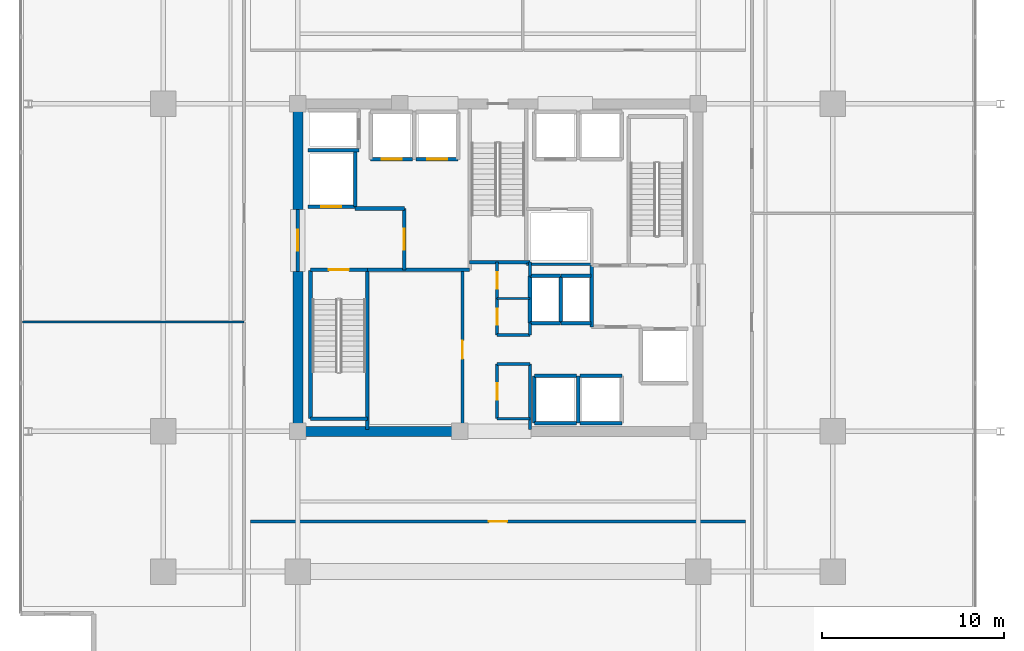
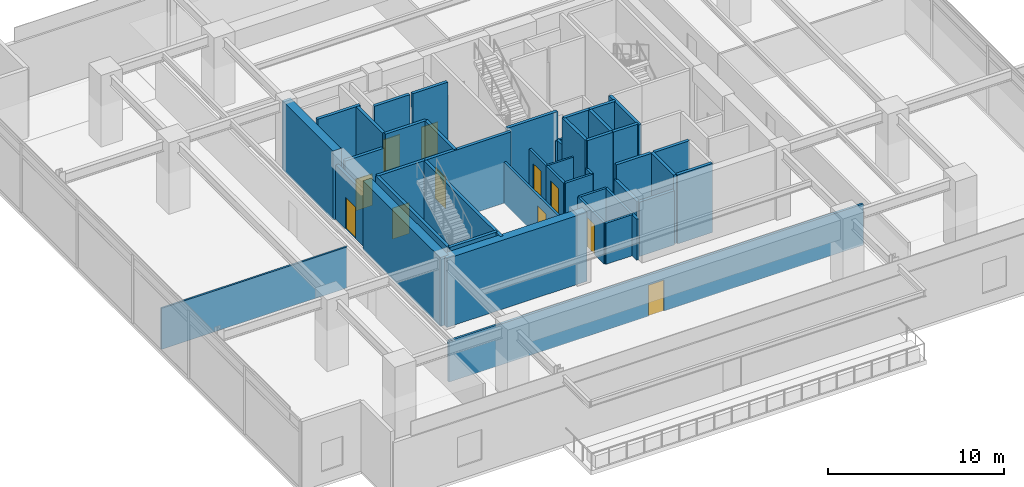
# One storey, part 14 of 21: 44 walls, 11 doors, 11 openings.
"""IFC4 building model written with IfcOpenShell, lengths in metres."""

import ifcopenshell
import ifcopenshell.guid

model = None  # the IFC model being written
_history = None  # IfcOwnerHistory: only IFC2X3 demands one
_inside = {}  # id of a spatial element -> (the spatial element, [elements in it])
_under = {}  # id of a project, library or spatial element -> (it, [spatial elements below it])
_declared = {}  # id of a project -> (the project, [libraries it declares])
_typed = {}  # id of a type object -> (the type object, [elements of that type])
_made_of = {}  # id of a material, layer set ... -> (it, [elements and type objects made of it])


def new_model(schema):
    """Start an empty IFC model of exactly this schema.

    Asked for "IFC4X3", IfcOpenShell would pick the latest addendum, in which some entities
    have other attributes; the version numbers below select the first issue.
    IFC2X3 requires an IfcOwnerHistory on every rooted entity: one is made here for all.
    """
    global model, _history
    if schema == "IFC4X3":
        model = ifcopenshell.file(schema_version=(4, 3, 0, 0))
    else:
        model = ifcopenshell.file(schema=schema)
    _inside.clear()
    _under.clear()
    _declared.clear()
    _typed.clear()
    _made_of.clear()
    _history = None
    if model.schema == "IFC2X3":
        org = make("IfcOrganization", Name="unknown")
        user = make(
            "IfcPersonAndOrganization",
            ThePerson=make("IfcPerson", FamilyName="unknown"),
            TheOrganization=org,
        )
        app = make(
            "IfcApplication",
            ApplicationDeveloper=org,
            Version="unknown",
            ApplicationFullName="unknown",
            ApplicationIdentifier="unknown",
        )
        _history = make(
            "IfcOwnerHistory",
            OwningUser=user,
            OwningApplication=app,
            ChangeAction="ADDED",
            CreationDate=0,
        )
    return model


def make(cls, **values):
    """One entity of the class cls with the attributes given. An attribute that is None is left unset."""
    return model.create_entity(
        cls, **{name: value for name, value in values.items() if value is not None}
    )


def rooted(cls, **values):
    """An entity with a GlobalId (a new one), such as an element, a storey or a relation."""
    return make(cls, GlobalId=ifcopenshell.guid.new(), OwnerHistory=_history, **values)


def si_unit(unit_type, name, prefix=None):
    """IfcSIUnit, for example si_unit("LENGTHUNIT", "METRE", prefix="MILLI")."""
    return make("IfcSIUnit", UnitType=unit_type, Prefix=prefix, Name=name)


def assignment(units):
    """IfcUnitAssignment: the units of a project."""
    return None if units is None else make("IfcUnitAssignment", Units=units)


def point(xyz):
    """IfcCartesianPoint."""
    return None if xyz is None else make("IfcCartesianPoint", Coordinates=xyz)


def direction(xyz):
    """IfcDirection."""
    return None if xyz is None else make("IfcDirection", DirectionRatios=xyz)


def frame(location, z_axis=None, x_axis=None):
    """IfcAxis2Placement3D, a coordinate frame: its origin and axes. An axis left out is left unset."""
    return make(
        "IfcAxis2Placement3D",
        Location=point(location),
        Axis=direction(z_axis),
        RefDirection=direction(x_axis),
    )


def frame_2d(location, x_axis=None):
    """IfcAxis2Placement2D, a coordinate frame in the plane: its origin and x axis."""
    return make(
        "IfcAxis2Placement2D", Location=point(location), RefDirection=direction(x_axis)
    )


def origin():
    """The frame at (0, 0, 0) with its axes left unset."""
    return frame((0.0, 0.0, 0.0))


def place(relative_to, where):
    """IfcLocalPlacement: puts the frame where relative to a parent placement (None: the world)."""
    return make(
        "IfcLocalPlacement", PlacementRelTo=relative_to, RelativePlacement=where
    )


def context(
    kind, dimensions, precision=None, world=None, true_north=None, identifier=None
):
    """IfcGeometricRepresentationContext, for example the 3D "Model" context."""
    return make(
        "IfcGeometricRepresentationContext",
        ContextIdentifier=identifier,
        ContextType=kind,
        CoordinateSpaceDimension=dimensions,
        Precision=precision,
        WorldCoordinateSystem=world,
        TrueNorth=true_north,
    )


def subcontext(parent, identifier, kind, view, scale=None):
    """IfcGeometricRepresentationSubContext, for example "Body" below "Model"."""
    return make(
        "IfcGeometricRepresentationSubContext",
        ContextIdentifier=identifier,
        ContextType=kind,
        ParentContext=parent,
        TargetScale=scale,
        TargetView=view,
    )


def project(units=None, contexts=None):
    """IfcProject with its units and contexts."""
    return rooted(
        "IfcProject",
        Name="project",
        RepresentationContexts=contexts,
        UnitsInContext=assignment(units),
    )


def spatial(cls, under=None, at=None, **own):
    """A site, building, storey or space (cls), placed at a placement, below another one or the project."""
    s = rooted(cls, ObjectPlacement=at, **own)
    if under is not None:
        _under.setdefault(under.id(), (under, []))[1].append(s)
    return s


def profile(cls, at=None, kind="AREA", **sizes):
    """A parametric profile (cls). Its sizes go by their IFC names, for example OverallWidth=200.0."""
    return make(cls, ProfileType=kind, Position=at, **sizes)


def rectangle(**sizes):
    """IfcRectangleProfileDef."""
    return profile("IfcRectangleProfileDef", **sizes)


def extrude(swept, where, along, depth):
    """IfcExtrudedAreaSolid: the profile swept, set in the frame where, extruded along a direction by depth."""
    return make(
        "IfcExtrudedAreaSolid",
        SweptArea=swept,
        Position=where,
        ExtrudedDirection=direction(along),
        Depth=depth,
    )


def shape(context_of_items, identifier, shape_type, items):
    """IfcShapeRepresentation: the items that make up one representation, for example the "Body"."""
    return make(
        "IfcShapeRepresentation",
        ContextOfItems=context_of_items,
        RepresentationIdentifier=identifier,
        RepresentationType=shape_type,
        Items=items,
    )


def material(Name=None, Category=None):
    """IfcMaterial."""
    return make("IfcMaterial", Name=Name, Category=Category)


def layer(
    of_material, thickness, ventilated=None, Name=None, Category=None, Priority=None
):
    """IfcMaterialLayer: one layer of a wall or slab, of a material (None: an air gap)."""
    return make(
        "IfcMaterialLayer",
        Material=of_material,
        LayerThickness=thickness,
        IsVentilated=ventilated,
        Name=Name,
        Category=Category,
        Priority=Priority,
    )


def layer_set(layers, Name=None):
    """IfcMaterialLayerSet."""
    return make("IfcMaterialLayerSet", MaterialLayers=layers, LayerSetName=Name)


def made_of(thing, what):
    """Note that an element or type object is made of a material, layer set ...; save() writes the relation."""
    if what is not None:
        _made_of.setdefault(what.id(), (what, []))[1].append(thing)
    return thing


def type_object(cls, material=None, **own):
    """A type object (cls), such as IfcWallType, which elements share."""
    return made_of(rooted(cls, **own), material)


def element(
    cls,
    number,
    at=None,
    inside=None,
    cuts=None,
    type_object=None,
    material=None,
    context=None,
    identifier="Body",
    shape_type=None,
    held_by="IfcProductDefinitionShape",
    body=None,
    shapes=None,
    **own,
):
    """One element of the class cls, such as IfcWall. Its Tag is "e" and its number.

    at: its placement. inside: the storey or other place that contains it. cuts: it is an
    opening in that element (IfcRelVoidsElement). A single representation is given by context,
    identifier, shape_type and body (its items); several are given by shapes. held_by: the class
    of the entity that holds the representations. save() writes the other relations.
    """
    e = rooted(cls, Tag="e%d" % number, ObjectPlacement=at, **own)
    if body is not None:
        shapes = [shape(context, identifier, shape_type, body)]
    if shapes is not None:
        e.Representation = make(held_by, Representations=shapes)
    if inside is not None:
        _inside.setdefault(inside.id(), (inside, []))[1].append(e)
    if cuts is not None:
        rooted(
            "IfcRelVoidsElement", RelatingBuildingElement=cuts, RelatedOpeningElement=e
        )
    if type_object is not None:
        _typed.setdefault(type_object.id(), (type_object, []))[1].append(e)
    return made_of(e, material)


def fill(opening, filler):
    """IfcRelFillsElement: the door or window that sits in an opening."""
    return rooted(
        "IfcRelFillsElement",
        RelatingOpeningElement=opening,
        RelatedBuildingElement=filler,
    )


def aggregate(whole, parts):
    """IfcRelAggregates: a whole, such as a stair, and the parts it consists of."""
    return rooted("IfcRelAggregates", RelatingObject=whole, RelatedObjects=parts)


def save(model, path):
    """Write the relations noted so far, then the file.

    IfcRelAggregates (storeys below a building ...), IfcRelContainedInSpatialStructure (elements
    in a storey), IfcRelDefinesByType, IfcRelAssociatesMaterial and IfcRelDeclares: one each for
    every whole, place, type object, material and project.
    """
    for whole, parts in _under.values():
        aggregate(whole, parts)
    for where, things in _inside.values():
        rooted(
            "IfcRelContainedInSpatialStructure",
            RelatedElements=things,
            RelatingStructure=where,
        )
    for kind, things in _typed.values():
        rooted("IfcRelDefinesByType", RelatedObjects=things, RelatingType=kind)
    for what, things in _made_of.values():
        rooted("IfcRelAssociatesMaterial", RelatedObjects=things, RelatingMaterial=what)
    for by, libraries in _declared.values():
        rooted("IfcRelDeclares", RelatingContext=by, RelatedDefinitions=libraries)
    model.write(path)


model = new_model("IFC4")

# Units and contexts
model_context = context("Model", 3, precision=1e-05, world=origin(), true_north=direction((0.0, 1.0)))
body_context = subcontext(model_context, "Body", "Model", "MODEL_VIEW")
ifc_project = project(units=[si_unit("LENGTHUNIT", "METRE"), si_unit("AREAUNIT", "SQUARE_METRE"), si_unit("VOLUMEUNIT", "CUBIC_METRE"), si_unit("PLANEANGLEUNIT", "RADIAN"), si_unit("MASSUNIT", "GRAM", prefix="KILO")], contexts=[model_context])

# Site, building, storey
site_placement = place(None, origin())
site = spatial("IfcSite", under=ifc_project, at=site_placement, CompositionType="ELEMENT")
building_placement = place(site_placement, origin())
building = spatial("IfcBuilding", under=site, at=building_placement, Name="Kovane Verandah Tower", CompositionType="ELEMENT")
storey_placement = place(building_placement, frame((0.0, 0.0, 238.199951171875)))
storey = spatial("IfcBuildingStorey", under=building, at=storey_placement, Name="L55", CompositionType="ELEMENT", Elevation=238.199951171875)

# Walls
ifc_material_1 = material(Name="Fire-Rated Gypsum Stud Partition", Category="gypsum")
ifc_layer_1 = layer(ifc_material_1, 0.14990234375)
ifc_layer_set_1 = layer_set([ifc_layer_1], Name="Fire-Rated Gypsum Stud Partition")
wall_type_1 = type_object("IfcWallType", Name="WL-COR-150", PredefinedType="PARTITIONING", material=ifc_layer_set_1)
for number, where, z_axis, x_axis, name in (
    (1, (39.949951171875, 19.199951171875, 0.0), (0.0, 0.0, 1.0), (1.0, 0.0, 0.0), "L55 Central Core Strip South Wall"),
    (2, (39.949951171875, 22.199951171875, 0.0), (0.0, 0.0, 1.0), (1.0, 0.0, 0.0), "L55 Core Cross-Passage South Wall"),
    (3, (39.949951171875, 23.800048828125, 0.0), (0.0, 0.0, 1.0), (1.0, 0.0, 0.0), "L55 Core Cross-Passage North Wall"),
):
    element("IfcWall", number, at=place(storey_placement, frame(where, z_axis=z_axis, x_axis=x_axis)), inside=storey, type_object=wall_type_1, Name=name, PredefinedType="PARTITIONING", context=body_context, shape_type="SweptSolid", body=[
        extrude(rectangle(XDim=1.81005859375, YDim=0.14990234375, at=frame_2d((0.905029296875, 0.0))), origin(), (0.0, 0.0, 1.0), 2.85009765625),
    ])
wall_1_placement = place(storey_placement, frame((41.760009765625, 18.60009765625, 0.0), z_axis=(0.0, 0.0, 1.0), x_axis=(0.0, 1.0, 0.0)))
element("IfcWall", 4, at=wall_1_placement, inside=storey, type_object=wall_type_1, Name="L55 Central Core Strip Lower East Wall", PredefinedType="PARTITIONING", context=body_context, shape_type="SweptSolid", body=[
    extrude(rectangle(XDim=3.599853515625, YDim=0.14990234375, at=frame_2d((1.7998046875, 0.0))), origin(), (0.0, 0.0, 1.0), 2.85009765625),
])
wall_2_placement = place(storey_placement, frame((41.760009765625, 23.800048828125, 0.0), z_axis=(0.0, 0.0, 1.0), x_axis=(0.0, 1.0, 0.0)))
element("IfcWall", 5, at=wall_2_placement, inside=storey, type_object=wall_type_1, Name="L55 Central Core Strip Middle East Wall", PredefinedType="PARTITIONING", context=body_context, shape_type="SweptSolid", body=[
    extrude(rectangle(XDim=0.64990234375, YDim=0.14990234375, at=frame_2d((0.324951171875, 0.0))), origin(), (0.0, 0.0, 1.0), 2.85009765625),
])
wall_3_placement = place(storey_placement, frame((41.760009765625, 27.050048828125, 0.0), z_axis=(0.0, 0.0, 1.0), x_axis=(0.0, 1.0, 0.0)))
element("IfcWall", 6, at=wall_3_placement, inside=storey, type_object=wall_type_1, Name="L55 Central Core Strip Upper East Wall", PredefinedType="PARTITIONING", context=body_context, shape_type="SweptSolid", body=[
    extrude(rectangle(XDim=0.75, YDim=0.14990234375, at=frame_2d((0.375, 0.0))), origin(), (0.0, 0.0, 1.0), 2.85009765625),
])

# Wall, opening, door
wall_4_placement = place(storey_placement, frame((39.949951171875, 19.199951171875, 0.0), z_axis=(0.0, 0.0, 1.0), x_axis=(0.0, 1.0, 0.0)))
wall_4 = element("IfcWall", 7, at=wall_4_placement, inside=storey, type_object=wall_type_1, Name="L55 Male Toilet Partition", PredefinedType="PARTITIONING", context=body_context, shape_type="SweptSolid", body=[
    extrude(rectangle(XDim=3.0, YDim=0.14990234375, at=frame_2d((1.5, 0.0))), origin(), (0.0, 0.0, 1.0), 2.85009765625),
])
opening_1_placement = place(wall_4_placement, frame((1.050048828125, 0.0, 0.0)))
opening_1 = element("IfcOpeningElement", 8, at=opening_1_placement, cuts=wall_4, Name="Opening DR-L55-020", PredefinedType="OPENING", context=body_context, shape_type="SweptSolid", body=[
    extrude(rectangle(XDim=0.89990234375, YDim=2.10009765625, at=frame_2d((0.449951171875, 1.050048828125))), frame((0.0, 0.074951171875, 0.0), z_axis=(0.0, -1.0, 0.0), x_axis=(1.0, 0.0, 0.0)), (0.0, 0.0, 1.0), 0.14990234375),
])
ifc_material_2 = material(Name="Moisture-Resistant Laminate Washroom Door", Category="wood")
door_type_1 = type_object("IfcDoorType", Name="DR-WC-900", OperationType="SINGLE_SWING_LEFT", PredefinedType="DOOR", material=ifc_material_2)
door_1_placement = place(opening_1_placement, origin())
door_1 = element("IfcDoor", 9, at=door_1_placement, inside=storey, type_object=door_type_1, Name="L55 Male Toilet Door", OperationType="SINGLE_SWING_RIGHT", OverallHeight=2.10009765625, OverallWidth=0.89990234375, PredefinedType="DOOR", context=body_context, shape_type="SweptSolid", body=[
    extrude(rectangle(XDim=0.89990234375, YDim=2.10009765625, at=frame_2d((0.449951171875, 1.050048828125))), frame((0.0, 0.02490234375, 0.0), z_axis=(0.0, -1.0, 0.0), x_axis=(1.0, 0.0, 0.0)), (0.0, 0.0, 1.0), 0.050048828125),
])
fill(opening_1, door_1)

wall_5_placement = place(storey_placement, frame((39.949951171875, 23.800048828125, 0.0), z_axis=(0.0, 0.0, 1.0), x_axis=(0.0, 1.0, 0.0)))
wall_5 = element("IfcWall", 10, at=wall_5_placement, inside=storey, type_object=wall_type_1, Name="L55 Female Toilet Partition", PredefinedType="PARTITIONING", context=body_context, shape_type="SweptSolid", body=[
    extrude(rectangle(XDim=2.0, YDim=0.14990234375, at=frame_2d((1.0, 0.0))), origin(), (0.0, 0.0, 1.0), 2.85009765625),
])
opening_2_placement = place(wall_5_placement, frame((0.550048828125, 0.0, 0.0)))
opening_2 = element("IfcOpeningElement", 11, at=opening_2_placement, cuts=wall_5, Name="Opening DR-L55-019", PredefinedType="OPENING", context=body_context, shape_type="SweptSolid", body=[
    extrude(rectangle(XDim=0.89990234375, YDim=2.10009765625, at=frame_2d((0.449951171875, 1.050048828125))), frame((0.0, 0.074951171875, 0.0), z_axis=(0.0, -1.0, 0.0), x_axis=(1.0, 0.0, 0.0)), (0.0, 0.0, 1.0), 0.14990234375),
])
door_2_placement = place(opening_2_placement, origin())
door_2 = element("IfcDoor", 12, at=door_2_placement, inside=storey, type_object=door_type_1, Name="L55 Female Toilet Door", OperationType="SINGLE_SWING_LEFT", OverallHeight=2.10009765625, OverallWidth=0.89990234375, PredefinedType="DOOR", context=body_context, shape_type="SweptSolid", body=[
    extrude(rectangle(XDim=0.89990234375, YDim=2.10009765625, at=frame_2d((0.449951171875, 1.050048828125))), frame((0.0, 0.02490234375, 0.0), z_axis=(0.0, -1.0, 0.0), x_axis=(1.0, 0.0, 0.0)), (0.0, 0.0, 1.0), 0.050048828125),
])
fill(opening_2, door_2)

wall_6_placement = place(storey_placement, frame((39.949951171875, 25.800048828125, 0.0), z_axis=(0.0, 0.0, 1.0), x_axis=(0.0, 1.0, 0.0)))
wall_6 = element("IfcWall", 13, at=wall_6_placement, inside=storey, type_object=wall_type_1, Name="L55 Accessible Unisex Toilet Partition", PredefinedType="PARTITIONING", context=body_context, shape_type="SweptSolid", body=[
    extrude(rectangle(XDim=2.0, YDim=0.14990234375, at=frame_2d((1.0, 0.0))), origin(), (0.0, 0.0, 1.0), 2.85009765625),
])
opening_3_placement = place(wall_6_placement, frame((0.550048828125, 0.0, 0.0)))
opening_3 = element("IfcOpeningElement", 14, at=opening_3_placement, cuts=wall_6, Name="Opening DR-L55-018", PredefinedType="OPENING", context=body_context, shape_type="SweptSolid", body=[
    extrude(rectangle(XDim=0.89990234375, YDim=2.10009765625, at=frame_2d((0.449951171875, 1.050048828125))), frame((0.0, 0.074951171875, 0.0), z_axis=(0.0, -1.0, 0.0), x_axis=(1.0, 0.0, 0.0)), (0.0, 0.0, 1.0), 0.14990234375),
])
door_3_placement = place(opening_3_placement, origin())
door_3 = element("IfcDoor", 15, at=door_3_placement, inside=storey, type_object=door_type_1, Name="L55 Accessible Unisex Toilet Door", OperationType="SINGLE_SWING_RIGHT", OverallHeight=2.10009765625, OverallWidth=0.89990234375, PredefinedType="DOOR", context=body_context, shape_type="SweptSolid", body=[
    extrude(rectangle(XDim=0.89990234375, YDim=2.10009765625, at=frame_2d((0.449951171875, 1.050048828125))), frame((0.0, 0.02490234375, 0.0), z_axis=(0.0, -1.0, 0.0), x_axis=(1.0, 0.0, 0.0)), (0.0, 0.0, 1.0), 0.050048828125),
])
fill(opening_3, door_3)

wall_7_placement = place(storey_placement, frame((38.050048828125, 18.60009765625, 0.0), z_axis=(0.0, 0.0, 1.0), x_axis=(0.0, 1.0, 0.0)))
wall_7 = element("IfcWall", 16, at=wall_7_placement, inside=storey, type_object=wall_type_1, Name="L55 Tenant Wellness and Archive Suite Partition", PredefinedType="PARTITIONING", context=body_context, shape_type="SweptSolid", body=[
    extrude(rectangle(XDim=8.77978515625, YDim=0.14990234375, at=frame_2d((4.389892578125, 0.0))), origin(), (0.0, 0.0, 1.0), 2.85009765625),
])
opening_4_placement = place(wall_7_placement, frame((3.889892578125, 0.0, 0.0)))
opening_4 = element("IfcOpeningElement", 17, at=opening_4_placement, cuts=wall_7, Name="Opening DR-L55-013", PredefinedType="OPENING", context=body_context, shape_type="SweptSolid", body=[
    extrude(rectangle(XDim=1.0, YDim=2.14990234375, at=frame_2d((0.5, 1.074951171875))), frame((0.0, 0.074951171875, 0.0), z_axis=(0.0, -1.0, 0.0), x_axis=(1.0, 0.0, 0.0)), (0.0, 0.0, 1.0), 0.14990234375),
])
ifc_material_3 = material(Name="FSC Spotted-Gum Timber Fire-Rated Office Door", Category="wood")
door_type_2 = type_object("IfcDoorType", Name="DR-OFF-1000", OperationType="SINGLE_SWING_LEFT", PredefinedType="DOOR", material=ifc_material_3)
door_4_placement = place(opening_4_placement, origin())
door_4 = element("IfcDoor", 18, at=door_4_placement, inside=storey, type_object=door_type_2, Name="L55 Tenant Wellness and Archive Suite Door", OperationType="SINGLE_SWING_LEFT", OverallHeight=2.14990234375, OverallWidth=1.0, PredefinedType="DOOR", context=body_context, shape_type="SweptSolid", body=[
    extrude(rectangle(XDim=1.0, YDim=2.14990234375, at=frame_2d((0.5, 1.074951171875))), frame((0.0, 0.02490234375, 0.0), z_axis=(0.0, -1.0, 0.0), x_axis=(1.0, 0.0, 0.0)), (0.0, 0.0, 1.0), 0.050048828125),
])
fill(opening_4, door_4)

# Wall
wall_8_placement = place(storey_placement, frame((41.56005859375, 27.679931640625, 0.0), z_axis=(0.0, 0.0, 1.0), x_axis=(1.0, 0.0, 0.0)))
element("IfcWall", 19, at=wall_8_placement, inside=storey, type_object=wall_type_1, Name="L55 East Core Service Riser South Wall", PredefinedType="PARTITIONING", context=body_context, shape_type="SweptSolid", body=[
    extrude(rectangle(XDim=3.58984375, YDim=0.14990234375, at=frame_2d((1.794921875, 0.0))), origin(), (0.0, 0.0, 1.0), 2.85009765625),
])

# Wall, opening, door
wall_9_placement = place(storey_placement, frame((26.39990234375, 13.550048828125, 0.0), z_axis=(0.0, 0.0, 1.0), x_axis=(1.0, 0.0, 0.0)))
wall_9 = element("IfcWall", 20, at=wall_9_placement, inside=storey, type_object=wall_type_1, Name="L55 Breakout Pantry S1 Corridor Partition", PredefinedType="PARTITIONING", context=body_context, shape_type="SweptSolid", body=[
    extrude(rectangle(XDim=27.2001953125, YDim=0.14990234375, at=frame_2d((13.60009765625, 0.0))), origin(), (0.0, 0.0, 1.0), 2.85009765625),
])
opening_5_placement = place(wall_9_placement, frame((13.10009765625, 0.0, 0.0)))
opening_5 = element("IfcOpeningElement", 21, at=opening_5_placement, cuts=wall_9, Name="Opening DR-L55-017", PredefinedType="OPENING", context=body_context, shape_type="SweptSolid", body=[
    extrude(rectangle(XDim=1.0, YDim=2.14990234375, at=frame_2d((0.5, 1.074951171875))), frame((0.0, 0.074951171875, 0.0), z_axis=(0.0, -1.0, 0.0), x_axis=(1.0, 0.0, 0.0)), (0.0, 0.0, 1.0), 0.14990234375),
])
door_5_placement = place(opening_5_placement, origin())
door_5 = element("IfcDoor", 22, at=door_5_placement, inside=storey, type_object=door_type_2, Name="L55 Breakout Pantry S1 Entrance Door", OperationType="SINGLE_SWING_LEFT", OverallHeight=2.14990234375, OverallWidth=1.0, PredefinedType="DOOR", context=body_context, shape_type="SweptSolid", body=[
    extrude(rectangle(XDim=1.0, YDim=2.14990234375, at=frame_2d((0.5, 1.074951171875))), frame((0.0, 0.02490234375, 0.0), z_axis=(0.0, -1.0, 0.0), x_axis=(1.0, 0.0, 0.0)), (0.0, 0.0, 1.0), 0.050048828125),
])
fill(opening_5, door_5)

# Walls
ifc_material_4 = material(Name="Concrete C60/75", Category="concrete")
ifc_layer_2 = layer(ifc_material_4, 0.550048828125)
ifc_layer_set_2 = layer_set([ifc_layer_2], Name="Concrete C60/75")
wall_type_2 = type_object("IfcWallType", Name="WL-CORE-550", PredefinedType="SHEAR", material=ifc_layer_set_2)
wall_10_placement = place(storey_placement, frame((29.0, 18.5, 0.0), z_axis=(0.0, 0.0, 1.0), x_axis=(1.0, 0.0, 0.0)))
element("IfcWall", 23, at=wall_10_placement, inside=storey, type_object=wall_type_2, Name="L55 Core Shear Wall CS-1", PredefinedType="SHEAR", context=body_context, shape_type="SweptSolid", body=[
    extrude(rectangle(XDim=9.199951171875, YDim=0.550048828125, at=frame_2d((4.60009765625, 0.0))), origin(), (0.0, 0.0, 1.0), 4.78515625),
])
wall_11_placement = place(storey_placement, frame((29.0, 18.5, 0.0), z_axis=(0.0, 0.0, 1.0), x_axis=(0.0, 1.0, 0.0)))
element("IfcWall", 24, at=wall_11_placement, inside=storey, type_object=wall_type_2, Name="L55 Core Shear Wall CW-1", PredefinedType="SHEAR", context=body_context, shape_type="SweptSolid", body=[
    extrude(rectangle(XDim=8.800048828125, YDim=0.550048828125, at=frame_2d((4.39990234375, 0.0))), origin(), (0.0, 0.0, 1.0), 4.78515625),
])
wall_12_placement = place(storey_placement, frame((29.0, 30.699951171875, 0.0), z_axis=(0.0, 0.0, 1.0), x_axis=(0.0, 1.0, 0.0)))
element("IfcWall", 25, at=wall_12_placement, inside=storey, type_object=wall_type_2, Name="L55 Core Shear Wall CW-2", PredefinedType="SHEAR", context=body_context, shape_type="SweptSolid", body=[
    extrude(rectangle(XDim=5.800048828125, YDim=0.550048828125, at=frame_2d((2.89990234375, 0.0))), origin(), (0.0, 0.0, 1.0), 4.78515625),
])

# Wall, opening, door
ifc_material_5 = material(Name="Concrete C45/55 Fire Wall", Category="concrete")
ifc_layer_3 = layer(ifc_material_5, 0.199951171875)
ifc_layer_set_3 = layer_set([ifc_layer_3], Name="Concrete C45/55 Fire Wall")
wall_type_3 = type_object("IfcWallType", Name="WL-FFL-200", PredefinedType="PARTITIONING", material=ifc_layer_set_3)
wall_13_placement = place(storey_placement, frame((34.85009765625, 27.3798828125, 0.0), z_axis=(0.0, 0.0, 1.0), x_axis=(0.0, 1.0, 0.0)))
wall_13 = element("IfcWall", 26, at=wall_13_placement, inside=storey, type_object=wall_type_3, Name="W-L55-FFLW-E", PredefinedType="PARTITIONING", context=body_context, shape_type="SweptSolid", body=[
    extrude(rectangle(XDim=3.3701171875, YDim=0.199951171875, at=frame_2d((1.68505859375, 0.0))), origin(), (0.0, 0.0, 1.0), 4.78515625),
])
opening_6_placement = place(wall_13_placement, frame((1.110107421875, 0.0, 0.0)))
opening_6 = element("IfcOpeningElement", 27, at=opening_6_placement, cuts=wall_13, Name="Opening DR-L55-006", PredefinedType="OPENING", context=body_context, shape_type="SweptSolid", body=[
    extrude(rectangle(XDim=1.14990234375, YDim=2.199951171875, at=frame_2d((0.574951171875, 1.10009765625))), frame((0.0, 0.10009765625, 0.0), z_axis=(0.0, -1.0, 0.0), x_axis=(1.0, 0.0, 0.0)), (0.0, 0.0, 1.0), 0.199951171875),
])
ifc_material_6 = material(Name="Smoke-Sealed Firefighting Lobby Door", Category="steel")
door_type_3 = type_object("IfcDoorType", Name="DR-FFL-1150", OperationType="SINGLE_SWING_LEFT", PredefinedType="DOOR", material=ifc_material_6)
door_6_placement = place(opening_6_placement, origin())
door_6 = element("IfcDoor", 28, at=door_6_placement, inside=storey, type_object=door_type_3, Name="L55 West Firefighting Lobby Inner Door", OperationType="SINGLE_SWING_LEFT", OverallHeight=2.199951171875, OverallWidth=1.14990234375, PredefinedType="DOOR", context=body_context, shape_type="SweptSolid", body=[
    extrude(rectangle(XDim=1.14990234375, YDim=2.199951171875, at=frame_2d((0.574951171875, 1.10009765625))), frame((0.0, 0.02490234375, 0.0), z_axis=(0.0, -1.0, 0.0), x_axis=(1.0, 0.0, 0.0)), (0.0, 0.0, 1.0), 0.050048828125),
])
fill(opening_6, door_6)

wall_14_placement = place(storey_placement, frame((29.0, 27.300048828125, 0.0), z_axis=(0.0, 0.0, 1.0), x_axis=(0.0, 1.0, 0.0)))
wall_14 = element("IfcWall", 29, at=wall_14_placement, inside=storey, type_object=wall_type_3, Name="W-L55-FFLW-OUT", PredefinedType="PARTITIONING", context=body_context, shape_type="SweptSolid", body=[
    extrude(rectangle(XDim=3.39990234375, YDim=0.199951171875, at=frame_2d((1.699951171875, 0.0))), origin(), (0.0, 0.0, 1.0), 3.76513671875),
])
opening_7_placement = place(wall_14_placement, frame((1.125, 0.0, 0.0)))
opening_7 = element("IfcOpeningElement", 30, at=opening_7_placement, cuts=wall_14, Name="Opening DR-L55-007", PredefinedType="OPENING", context=body_context, shape_type="SweptSolid", body=[
    extrude(rectangle(XDim=1.14990234375, YDim=2.199951171875, at=frame_2d((0.574951171875, 1.10009765625))), frame((0.0, 0.10009765625, 0.0), z_axis=(0.0, -1.0, 0.0), x_axis=(1.0, 0.0, 0.0)), (0.0, 0.0, 1.0), 0.199951171875),
])
door_7_placement = place(opening_7_placement, origin())
door_7 = element("IfcDoor", 31, at=door_7_placement, inside=storey, type_object=door_type_3, Name="L55 West Firefighting Lobby Corridor Door", OperationType="SINGLE_SWING_RIGHT", OverallHeight=2.199951171875, OverallWidth=1.14990234375, PredefinedType="DOOR", context=body_context, shape_type="SweptSolid", body=[
    extrude(rectangle(XDim=1.14990234375, YDim=2.199951171875, at=frame_2d((0.574951171875, 1.10009765625))), frame((0.0, 0.02490234375, 0.0), z_axis=(0.0, -1.0, 0.0), x_axis=(1.0, 0.0, 0.0)), (0.0, 0.0, 1.0), 0.050048828125),
])
fill(opening_7, door_7)

# Walls
wall_15_placement = place(storey_placement, frame((32.820068359375, 27.3798828125, 0.0), z_axis=(0.0, 0.0, 1.0), x_axis=(1.0, 0.0, 0.0)))
element("IfcWall", 32, at=wall_15_placement, inside=storey, type_object=wall_type_3, Name="L55 West Firefighting Lobby South Fire Wall", PredefinedType="PARTITIONING", context=body_context, shape_type="SweptSolid", body=[
    extrude(rectangle(XDim=5.619873046875, YDim=0.199951171875, at=frame_2d((2.81005859375, 0.0))), origin(), (0.0, 0.0, 1.0), 4.78515625),
])
wall_16_placement = place(storey_placement, frame((32.14990234375, 30.75, 0.0), z_axis=(0.0, 0.0, 1.0), x_axis=(1.0, 0.0, 0.0)))
element("IfcWall", 33, at=wall_16_placement, inside=storey, type_object=wall_type_3, Name="L55 West Firefighting Lobby North Fire Wall", PredefinedType="PARTITIONING", context=body_context, shape_type="SweptSolid", body=[
    extrude(rectangle(XDim=2.7001953125, YDim=0.199951171875, at=frame_2d((1.35009765625, 0.0))), origin(), (0.0, 0.0, 1.0), 4.78515625),
])
wall_17_placement = place(storey_placement, frame((45.14990234375, 24.25, 0.0), z_axis=(0.0, 0.0, 1.0), x_axis=(0.0, 1.0, 0.0)))
element("IfcWall", 34, at=wall_17_placement, inside=storey, type_object=wall_type_3, Name="L55 East Firefighting Lobby West Fire Wall", PredefinedType="PARTITIONING", context=body_context, shape_type="SweptSolid", body=[
    extrude(rectangle(XDim=3.3701171875, YDim=0.199951171875, at=frame_2d((1.68505859375, 0.0))), origin(), (0.0, 0.0, 1.0), 4.78515625),
])

# Wall, opening, door
ifc_material_7 = material(Name="Concrete C45/55 Lift Shaft Wall", Category="concrete")
ifc_layer_4 = layer(ifc_material_7, 0.199951171875)
ifc_layer_set_4 = layer_set([ifc_layer_4], Name="Concrete C45/55 Lift Shaft Wall")
wall_type_4 = type_object("IfcWallType", Name="WL-LIFT-200", PredefinedType="SOLIDWALL", material=ifc_layer_set_4)
wall_18_placement = place(storey_placement, frame((29.550048828125, 30.85009765625, 0.0), z_axis=(0.0, 0.0, 1.0), x_axis=(1.0, 0.0, 0.0)))
wall_18 = element("IfcWall", 35, at=wall_18_placement, inside=storey, type_object=wall_type_4, Name="L55 Lift FL-01 S Shaft Wall", PredefinedType="SOLIDWALL", context=body_context, shape_type="SweptSolid", body=[
    extrude(rectangle(XDim=2.599853515625, YDim=0.199951171875, at=frame_2d((1.2998046875, 0.0))), origin(), (0.0, 0.0, 1.0), 3.76513671875),
])
opening_8_placement = place(wall_18_placement, frame((0.75, 0.0, 0.0)))
opening_8 = element("IfcOpeningElement", 36, at=opening_8_placement, cuts=wall_18, Name="Opening LD-L55-001", PredefinedType="OPENING", context=body_context, shape_type="SweptSolid", body=[
    extrude(rectangle(XDim=1.10009765625, YDim=2.199951171875, at=frame_2d((0.550048828125, 1.10009765625))), frame((0.0, 0.10009765625, 0.0), z_axis=(0.0, -1.0, 0.0), x_axis=(1.0, 0.0, 0.0)), (0.0, 0.0, 1.0), 0.199951171875),
])
ifc_material_8 = material(Name="Brushed Stainless Steel Sliding Lift Landing Door", Category="steel")
door_type_4 = type_object("IfcDoorType", Name="DR-LIFT-1100", OperationType="SLIDING_TO_RIGHT", PredefinedType="DOOR", material=ifc_material_8)
door_8_placement = place(opening_8_placement, origin())
door_8 = element("IfcDoor", 37, at=door_8_placement, inside=storey, type_object=door_type_4, Name="L55 Lift FL-01 Sliding Landing Door", OperationType="SLIDING_TO_RIGHT", OverallHeight=2.199951171875, OverallWidth=1.10009765625, PredefinedType="DOOR", context=body_context, shape_type="SweptSolid", body=[
    extrude(rectangle(XDim=1.10009765625, YDim=2.199951171875, at=frame_2d((0.550048828125, 1.10009765625))), frame((0.0, 0.02490234375, 0.0), z_axis=(0.0, -1.0, 0.0), x_axis=(1.0, 0.0, 0.0)), (0.0, 0.0, 1.0), 0.050048828125),
])
fill(opening_8, door_8)

# Walls
wall_19_placement = place(storey_placement, frame((29.550048828125, 33.949951171875, 0.0), z_axis=(0.0, 0.0, 1.0), x_axis=(1.0, 0.0, 0.0)))
element("IfcWall", 38, at=wall_19_placement, inside=storey, type_object=wall_type_4, Name="L55 Lift FL-01 and GL-01 Shared Shaft Wall", PredefinedType="SOLIDWALL", context=body_context, shape_type="SweptSolid", body=[
    extrude(rectangle(XDim=2.800048828125, YDim=0.199951171875, at=frame_2d((1.39990234375, 0.0))), origin(), (0.0, 0.0, 1.0), 4.78515625),
])
wall_20_placement = place(storey_placement, frame((32.14990234375, 30.85009765625, 0.0), z_axis=(0.0, 0.0, 1.0), x_axis=(0.0, 1.0, 0.0)))
element("IfcWall", 39, at=wall_20_placement, inside=storey, type_object=wall_type_4, Name="L55 Lift FL-01 E Shaft Wall", PredefinedType="SOLIDWALL", context=body_context, shape_type="SweptSolid", body=[
    extrude(rectangle(XDim=3.0, YDim=0.199951171875, at=frame_2d((1.5, 0.0))), origin(), (0.0, 0.0, 1.0), 4.78515625),
])
wall_21_placement = place(storey_placement, frame((42.0, 18.949951171875, 0.0), z_axis=(0.0, 0.0, 1.0), x_axis=(1.0, 0.0, 0.0)))
element("IfcWall", 40, at=wall_21_placement, inside=storey, type_object=wall_type_4, Name="L55 Lift PL-M1 S Shaft Wall", PredefinedType="SOLIDWALL", context=body_context, shape_type="SweptSolid", body=[
    extrude(rectangle(XDim=2.300048828125, YDim=0.199951171875, at=frame_2d((1.14990234375, 0.0))), origin(), (0.0, 0.0, 1.0), 3.76513671875),
])
wall_22_placement = place(storey_placement, frame((44.300048828125, 21.550048828125, 0.0), z_axis=(0.0, 0.0, 1.0), x_axis=(-1.0, 0.0, 0.0)))
element("IfcWall", 41, at=wall_22_placement, inside=storey, type_object=wall_type_4, Name="L55 Lift PL-M1 N Shaft Wall", PredefinedType="SOLIDWALL", context=body_context, shape_type="SweptSolid", body=[
    extrude(rectangle(XDim=2.300048828125, YDim=0.199951171875, at=frame_2d((1.14990234375, 0.0))), origin(), (0.0, 0.0, 1.0), 4.78515625),
])
wall_23_placement = place(storey_placement, frame((42.0, 21.550048828125, 0.0), z_axis=(0.0, 0.0, 1.0), x_axis=(0.0, -1.0, 0.0)))
element("IfcWall", 42, at=wall_23_placement, inside=storey, type_object=wall_type_4, Name="L55 Lift PL-M1 W Shaft Wall", PredefinedType="SOLIDWALL", context=body_context, shape_type="SweptSolid", body=[
    extrude(rectangle(XDim=2.60009765625, YDim=0.199951171875, at=frame_2d((1.300048828125, 0.0))), origin(), (0.0, 0.0, 1.0), 3.76513671875),
])
wall_24_placement = place(storey_placement, frame((44.39990234375, 18.949951171875, 0.0), z_axis=(0.0, 0.0, 1.0), x_axis=(0.0, 1.0, 0.0)))
element("IfcWall", 43, at=wall_24_placement, inside=storey, type_object=wall_type_4, Name="L55 Lift PL-M1 and PL-M2 Shared Shaft Wall", PredefinedType="SOLIDWALL", context=body_context, shape_type="SweptSolid", body=[
    extrude(rectangle(XDim=2.60009765625, YDim=0.199951171875, at=frame_2d((1.300048828125, 0.0))), origin(), (0.0, 0.0, 1.0), 4.78515625),
])
for number, where, z_axis, x_axis, name in (
    (44, (44.5, 18.949951171875, 0.0), (0.0, 0.0, 1.0), (1.0, 0.0, 0.0), "L55 Lift PL-M2 S Shaft Wall"),
    (45, (46.800048828125, 21.550048828125, 0.0), (0.0, 0.0, 1.0), (-1.0, 0.0, 0.0), "L55 Lift PL-M2 N Shaft Wall"),
):
    element("IfcWall", number, at=place(storey_placement, frame(where, z_axis=z_axis, x_axis=x_axis)), inside=storey, type_object=wall_type_4, Name=name, PredefinedType="SOLIDWALL", context=body_context, shape_type="SweptSolid", body=[
        extrude(rectangle(XDim=2.300048828125, YDim=0.199951171875, at=frame_2d((1.14990234375, 0.0))), origin(), (0.0, 0.0, 1.0), 4.78515625),
    ])
for number, where, z_axis, x_axis, name in (
    (46, (41.760009765625, 24.449951171875, 0.0), (0.0, 0.0, 1.0), (1.0, 0.0, 0.0), "L55 Lift PL-M3 S Shaft Wall"),
    (47, (43.43994140625, 27.050048828125, 0.0), (0.0, 0.0, 1.0), (-1.0, 0.0, 0.0), "L55 Lift PL-M3 N Shaft Wall"),
):
    element("IfcWall", number, at=place(storey_placement, frame(where, z_axis=z_axis, x_axis=x_axis)), inside=storey, type_object=wall_type_4, Name=name, PredefinedType="SOLIDWALL", context=body_context, shape_type="SweptSolid", body=[
        extrude(rectangle(XDim=1.679931640625, YDim=0.199951171875, at=frame_2d((0.83984375, 0.0))), origin(), (0.0, 0.0, 1.0), 4.78515625),
    ])
for number, where, z_axis, x_axis, name in (
    (48, (41.760009765625, 27.050048828125, 0.0), (0.0, 0.0, 1.0), (0.0, -1.0, 0.0), "L55 Lift PL-M3 W Shaft Wall"),
    (49, (43.449951171875, 24.449951171875, 0.0), (0.0, 0.0, 1.0), (0.0, 1.0, 0.0), "L55 Lift PL-M3 and PL-M4 Shared Shaft Wall"),
):
    element("IfcWall", number, at=place(storey_placement, frame(where, z_axis=z_axis, x_axis=x_axis)), inside=storey, type_object=wall_type_4, Name=name, PredefinedType="SOLIDWALL", context=body_context, shape_type="SweptSolid", body=[
        extrude(rectangle(XDim=2.60009765625, YDim=0.199951171875, at=frame_2d((1.300048828125, 0.0))), origin(), (0.0, 0.0, 1.0), 4.78515625),
    ])
for number, where, z_axis, x_axis, name in (
    (50, (43.4599609375, 24.449951171875, 0.0), (0.0, 0.0, 1.0), (1.0, 0.0, 0.0), "L55 Lift PL-M4 S Shaft Wall"),
    (51, (45.1201171875, 27.050048828125, 0.0), (0.0, 0.0, 1.0), (-1.0, 0.0, 0.0), "L55 Lift PL-M4 N Shaft Wall"),
):
    element("IfcWall", number, at=place(storey_placement, frame(where, z_axis=z_axis, x_axis=x_axis)), inside=storey, type_object=wall_type_4, Name=name, PredefinedType="SOLIDWALL", context=body_context, shape_type="SweptSolid", body=[
        extrude(rectangle(XDim=1.66015625, YDim=0.199951171875, at=frame_2d((0.830078125, 0.0))), origin(), (0.0, 0.0, 1.0), 4.78515625),
    ])

# Wall, opening, door
wall_25_placement = place(storey_placement, frame((33.0, 33.449951171875, 0.0), z_axis=(0.0, 0.0, 1.0), x_axis=(1.0, 0.0, 0.0)))
wall_25 = element("IfcWall", 52, at=wall_25_placement, inside=storey, type_object=wall_type_4, Name="L55 Lift PL-H1 S Shaft Wall", PredefinedType="SOLIDWALL", context=body_context, shape_type="SweptSolid", body=[
    extrude(rectangle(XDim=2.300048828125, YDim=0.199951171875, at=frame_2d((1.14990234375, 0.0))), origin(), (0.0, 0.0, 1.0), 4.78515625),
])
opening_9_placement = place(wall_25_placement, frame((0.60009765625, 0.0, 0.0)))
opening_9 = element("IfcOpeningElement", 53, at=opening_9_placement, cuts=wall_25, Name="Opening LD-L55-004", PredefinedType="OPENING", context=body_context, shape_type="SweptSolid", body=[
    extrude(rectangle(XDim=1.10009765625, YDim=2.199951171875, at=frame_2d((0.550048828125, 1.10009765625))), frame((0.0, 0.10009765625, 0.0), z_axis=(0.0, -1.0, 0.0), x_axis=(1.0, 0.0, 0.0)), (0.0, 0.0, 1.0), 0.199951171875),
])
door_9_placement = place(opening_9_placement, origin())
door_9 = element("IfcDoor", 54, at=door_9_placement, inside=storey, type_object=door_type_4, Name="L55 Lift PL-H1 Sliding Landing Door", OperationType="SLIDING_TO_RIGHT", OverallHeight=2.199951171875, OverallWidth=1.10009765625, PredefinedType="DOOR", context=body_context, shape_type="SweptSolid", body=[
    extrude(rectangle(XDim=1.10009765625, YDim=2.199951171875, at=frame_2d((0.550048828125, 1.10009765625))), frame((0.0, 0.02490234375, 0.0), z_axis=(0.0, -1.0, 0.0), x_axis=(1.0, 0.0, 0.0)), (0.0, 0.0, 1.0), 0.050048828125),
])
fill(opening_9, door_9)

wall_26_placement = place(storey_placement, frame((35.5, 33.449951171875, 0.0), z_axis=(0.0, 0.0, 1.0), x_axis=(1.0, 0.0, 0.0)))
wall_26 = element("IfcWall", 55, at=wall_26_placement, inside=storey, type_object=wall_type_4, Name="L55 Lift PL-H2 S Shaft Wall", PredefinedType="SOLIDWALL", context=body_context, shape_type="SweptSolid", body=[
    extrude(rectangle(XDim=2.300048828125, YDim=0.199951171875, at=frame_2d((1.14990234375, 0.0))), origin(), (0.0, 0.0, 1.0), 4.78515625),
])
opening_10_placement = place(wall_26_placement, frame((0.60009765625, 0.0, 0.0)))
opening_10 = element("IfcOpeningElement", 56, at=opening_10_placement, cuts=wall_26, Name="Opening LD-L55-005", PredefinedType="OPENING", context=body_context, shape_type="SweptSolid", body=[
    extrude(rectangle(XDim=1.10009765625, YDim=2.199951171875, at=frame_2d((0.550048828125, 1.10009765625))), frame((0.0, 0.10009765625, 0.0), z_axis=(0.0, -1.0, 0.0), x_axis=(1.0, 0.0, 0.0)), (0.0, 0.0, 1.0), 0.199951171875),
])
door_10_placement = place(opening_10_placement, origin())
door_10 = element("IfcDoor", 57, at=door_10_placement, inside=storey, type_object=door_type_4, Name="L55 Lift PL-H2 Sliding Landing Door", OperationType="SLIDING_TO_RIGHT", OverallHeight=2.199951171875, OverallWidth=1.10009765625, PredefinedType="DOOR", context=body_context, shape_type="SweptSolid", body=[
    extrude(rectangle(XDim=1.10009765625, YDim=2.199951171875, at=frame_2d((0.550048828125, 1.10009765625))), frame((0.0, 0.02490234375, 0.0), z_axis=(0.0, -1.0, 0.0), x_axis=(1.0, 0.0, 0.0)), (0.0, 0.0, 1.0), 0.050048828125),
])
fill(opening_10, door_10)

# Walls
ifc_material_9 = material(Name="Acoustic Fire-Rated Gypsum Partition", Category="gypsum")
ifc_layer_5 = layer(ifc_material_9, 0.1201171875)
ifc_layer_set_5 = layer_set([ifc_layer_5], Name="Acoustic Fire-Rated Gypsum Partition")
wall_type_5 = type_object("IfcWallType", Name="WL-PART-120", PredefinedType="PARTITIONING", material=ifc_layer_set_5)
wall_27_placement = place(storey_placement, frame((39.949951171875, 25.800048828125, 0.0), z_axis=(0.0, 0.0, 1.0), x_axis=(1.0, 0.0, 0.0)))
element("IfcWall", 58, at=wall_27_placement, inside=storey, type_object=wall_type_5, Name="L55 Central Core Strip Upper Dividing Partition", PredefinedType="PARTITIONING", context=body_context, shape_type="SweptSolid", body=[
    extrude(rectangle(XDim=1.81005859375, YDim=0.1201171875, at=frame_2d((0.905029296875, 0.0))), origin(), (0.0, 0.0, 1.0), 2.85009765625),
])
wall_28_placement = place(storey_placement, frame((13.87939453125, 24.520263671875, 0.0), z_axis=(0.0, 0.0, 1.0), x_axis=(1.0, 0.0, 0.0)))
element("IfcWall", 59, at=wall_28_placement, inside=storey, type_object=wall_type_5, Name="L55 Collaboration Hub W1 Dividing Partition", PredefinedType="PARTITIONING", context=body_context, shape_type="SweptSolid", body=[
    extrude(rectangle(XDim=12.170654296875, YDim=0.1201171875, at=frame_2d((6.08544921875, 0.0))), origin(), (0.0, 0.0, 1.0), 2.85009765625),
])
ifc_material_10 = material(Name="Concrete C45/55", Category="concrete")
ifc_layer_6 = layer(ifc_material_10, 0.199951171875)
ifc_layer_set_6 = layer_set([ifc_layer_6], Name="Concrete C45/55")
wall_type_6 = type_object("IfcWallType", Name="WL-SHAFT-200", PredefinedType="SOLIDWALL", material=ifc_layer_set_6)
wall_29_placement = place(storey_placement, frame((29.699951171875, 19.199951171875, 0.0), z_axis=(0.0, 0.0, 1.0), x_axis=(0.0, 1.0, 0.0)))
element("IfcWall", 60, at=wall_29_placement, inside=storey, type_object=wall_type_6, Name="W-L55-ST01-W", PredefinedType="SOLIDWALL", context=body_context, shape_type="SweptSolid", body=[
    extrude(rectangle(XDim=8.150146484375, YDim=0.199951171875, at=frame_2d((4.0751953125, 0.0))), origin(), (0.0, 0.0, 1.0), 4.78515625),
])
wall_30_placement = place(storey_placement, frame((29.699951171875, 19.199951171875, 0.0), z_axis=(0.0, 0.0, 1.0), x_axis=(1.0, 0.0, 0.0)))
element("IfcWall", 61, at=wall_30_placement, inside=storey, type_object=wall_type_6, Name="W-L55-ST01-S", PredefinedType="SOLIDWALL", context=body_context, shape_type="SweptSolid", body=[
    extrude(rectangle(XDim=3.1201171875, YDim=0.199951171875, at=frame_2d((1.56005859375, 0.0))), origin(), (0.0, 0.0, 1.0), 4.78515625),
])
wall_31_placement = place(storey_placement, frame((32.820068359375, 18.60009765625, 0.0), z_axis=(0.0, 0.0, 1.0), x_axis=(0.0, 1.0, 0.0)))
element("IfcWall", 62, at=wall_31_placement, inside=storey, type_object=wall_type_6, Name="W-L55-ST01-E", PredefinedType="SOLIDWALL", context=body_context, shape_type="SweptSolid", body=[
    extrude(rectangle(XDim=8.77978515625, YDim=0.199951171875, at=frame_2d((4.389892578125, 0.0))), origin(), (0.0, 0.0, 1.0), 4.78515625),
])

# Wall, opening, door
wall_32_placement = place(storey_placement, frame((29.699951171875, 27.3798828125, 0.0), z_axis=(0.0, 0.0, 1.0), x_axis=(1.0, 0.0, 0.0)))
wall_32 = element("IfcWall", 63, at=wall_32_placement, inside=storey, type_object=wall_type_6, Name="W-L55-ST01-N", PredefinedType="SOLIDWALL", context=body_context, shape_type="SweptSolid", body=[
    extrude(rectangle(XDim=3.1201171875, YDim=0.199951171875, at=frame_2d((1.56005859375, 0.0))), origin(), (0.0, 0.0, 1.0), 4.78515625),
])
opening_11_placement = place(wall_32_placement, frame((1.010009765625, 0.0, 0.0)))
opening_11 = element("IfcOpeningElement", 64, at=opening_11_placement, cuts=wall_32, Name="Opening DR-L55-008", PredefinedType="OPENING", context=body_context, shape_type="SweptSolid", body=[
    extrude(rectangle(XDim=1.10009765625, YDim=2.14990234375, at=frame_2d((0.550048828125, 1.074951171875))), frame((0.0, 0.10009765625, 0.0), z_axis=(0.0, -1.0, 0.0), x_axis=(1.0, 0.0, 0.0)), (0.0, 0.0, 1.0), 0.199951171875),
])
ifc_material_11 = material(Name="Fire-Rated Steel Exit Door", Category="steel")
door_type_5 = type_object("IfcDoorType", Name="DR-STAIR-1100", OperationType="SINGLE_SWING_LEFT", PredefinedType="DOOR", material=ifc_material_11)
door_11_placement = place(opening_11_placement, origin())
door_11 = element("IfcDoor", 65, at=door_11_placement, inside=storey, type_object=door_type_5, Name="L55 ST-01 Fire Exit Stair Door", OperationType="SINGLE_SWING_LEFT", OverallHeight=2.14990234375, OverallWidth=1.10009765625, PredefinedType="DOOR", context=body_context, shape_type="SweptSolid", body=[
    extrude(rectangle(XDim=1.10009765625, YDim=2.14990234375, at=frame_2d((0.550048828125, 1.074951171875))), frame((0.0, 0.02490234375, 0.0), z_axis=(0.0, -1.0, 0.0), x_axis=(1.0, 0.0, 0.0)), (0.0, 0.0, 1.0), 0.050048828125),
])
fill(opening_11, door_11)

# Wall
wall_33_placement = place(storey_placement, frame((38.43994140625, 27.800048828125, 0.0), z_axis=(0.0, 0.0, 1.0), x_axis=(1.0, 0.0, 0.0)))
element("IfcWall", 66, at=wall_33_placement, inside=storey, type_object=wall_type_6, Name="W-L55-ST03-S", PredefinedType="SOLIDWALL", context=body_context, shape_type="SweptSolid", body=[
    extrude(rectangle(XDim=3.320068359375, YDim=0.199951171875, at=frame_2d((1.66015625, 0.0))), origin(), (0.0, 0.0, 1.0), 4.78515625),
])

save(model, "model.ifc")
